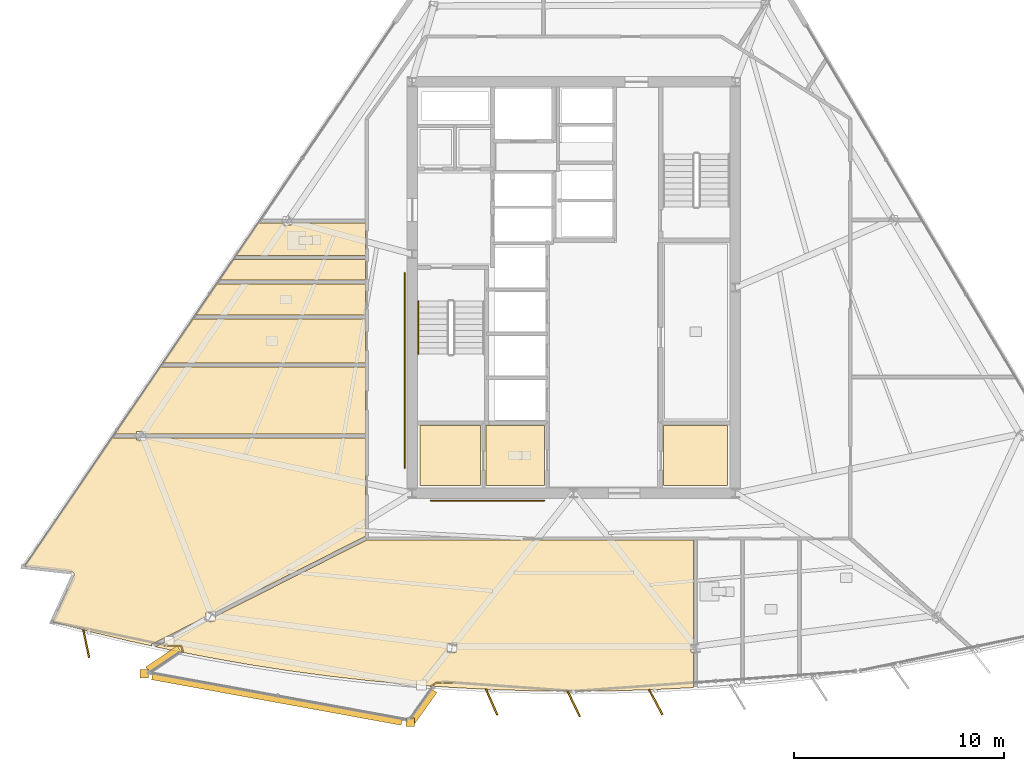
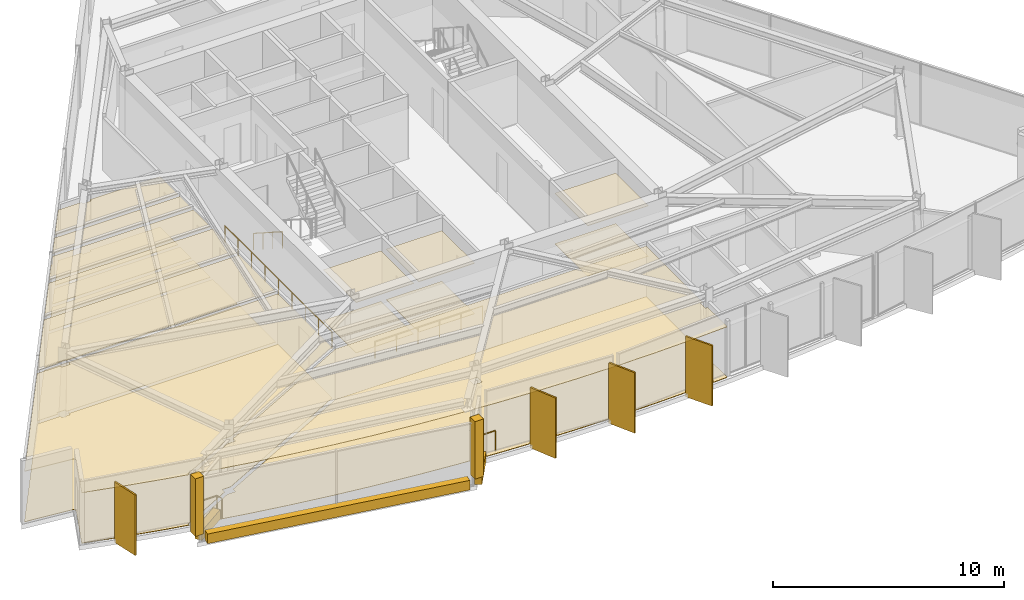
# One storey, part 11 of 14: 25 coverings, 5 railings, 4 shading devices.
"""IFC4 building model written with IfcOpenShell, lengths in metres."""

from ifc_helpers import new_model, si_unit, direction, frame, origin, origin_2d, place, context, subcontext, project, spatial, polyline, rectangle, circle, outline, extrude, material, layer, layer_set, type_object, element, save


model = new_model("IFC4")

# Units and contexts
model_context = context("Model", 3, precision=1e-05, world=origin(), true_north=direction((0.0, 1.0)))
body_context = subcontext(model_context, "Body", "Model", "MODEL_VIEW")
ifc_project = project(units=[si_unit("LENGTHUNIT", "METRE"), si_unit("AREAUNIT", "SQUARE_METRE"), si_unit("VOLUMEUNIT", "CUBIC_METRE"), si_unit("PLANEANGLEUNIT", "RADIAN"), si_unit("MASSUNIT", "GRAM", prefix="KILO")], contexts=[model_context])

# Site, building, storey
site_placement = place(None, origin())
site = spatial("IfcSite", under=ifc_project, at=site_placement, CompositionType="ELEMENT")
building_placement = place(site_placement, origin())
building = spatial("IfcBuilding", under=site, at=building_placement, Name="Savorim Split Tower", CompositionType="ELEMENT")
storey_placement = place(building_placement, frame((0.0, 0.0, 178.199951171875)))
storey = spatial("IfcBuildingStorey", under=building, at=storey_placement, Name="L47", CompositionType="ELEMENT", Elevation=178.199951171875)

# Coverings
ifc_material_1 = material(Name="Mineral Fibre Acoustic Ceiling")
ifc_layer_1 = layer(ifc_material_1, 0.02490234375)
ifc_layer_set_1 = layer_set([ifc_layer_1], Name="COV-CEIL-25")
covering_type_1 = type_object("IfcCoveringType", Name="COV-CEIL-25", PredefinedType="CEILING", material=ifc_layer_set_1)
covering_1_placement = place(storey_placement, frame((0.0, 0.0, 2.670166015625)))
element("IfcCovering", 1, at=covering_1_placement, inside=storey, type_object=covering_type_1, Name="L47 Housekeeping Store Acoustic Ceiling", PredefinedType="CEILING", context=body_context, shape_type="SweptSolid", body=[
    extrude(outline(polyline([(-7.320068359375, -6.179931640625), (-7.320068359375, -9.02001953125), (-4.429931640625, -9.02001953125), (-4.429931640625, -6.179931640625), (-7.320068359375, -6.179931640625)])), origin(), (0.0, 0.0, 1.0), 0.02490234375),
])
covering_2_placement = place(storey_placement, frame((0.0, 0.0, 2.670166015625)))
element("IfcCovering", 2, at=covering_2_placement, inside=storey, type_object=covering_type_1, Name="L47 Accessible WC Acoustic Ceiling", PredefinedType="CEILING", context=body_context, shape_type="SweptSolid", body=[
    extrude(outline(polyline([(-4.169921875, -6.179931640625), (-4.169921875, -9.02001953125), (-1.3798828125, -9.02001953125), (-1.3798828125, -6.179931640625), (-4.169921875, -6.179931640625)])), origin(), (0.0, 0.0, 1.0), 0.02490234375),
])
covering_3_placement = place(storey_placement, frame((0.0, 0.0, 2.670166015625)))
element("IfcCovering", 3, at=covering_3_placement, inside=storey, type_object=covering_type_1, Name="L47 Core IT Server Room Acoustic Ceiling", PredefinedType="CEILING", context=body_context, shape_type="SweptSolid", body=[
    extrude(outline(polyline([(4.280029296875, -6.179931640625), (4.280029296875, -9.02001953125), (7.320068359375, -9.02001953125), (7.320068359375, -6.179931640625), (4.280029296875, -6.179931640625)])), origin(), (0.0, 0.0, 1.0), 0.02490234375),
])
covering_4_placement = place(storey_placement, frame((0.0, 0.0, 2.670166015625)))
element("IfcCovering", 4, at=covering_4_placement, inside=storey, type_object=covering_type_1, Name="L47 Shared Kitchen Acoustic Ceiling", PredefinedType="CEILING", context=body_context, shape_type="SweptSolid", body=[
    extrude(outline(polyline([(-17.01025390625, 0.56884765625), (-18.012939453125, -0.905517578125), (-9.919921875, -0.905517578125), (-9.919921875, 0.56884765625), (-17.01025390625, 0.56884765625)])), origin(), (0.0, 0.0, 1.0), 0.02490234375),
])
covering_5_placement = place(storey_placement, frame((0.0, 0.0, 2.670166015625)))
element("IfcCovering", 5, at=covering_5_placement, inside=storey, type_object=covering_type_1, Name="L47 Community Laundry Room Acoustic Ceiling", PredefinedType="CEILING", context=body_context, shape_type="SweptSolid", body=[
    extrude(outline(polyline([(-18.142333984375, -1.095458984375), (-19.57080078125, -3.1953125), (-9.919921875, -3.1953125), (-9.919921875, -1.095458984375), (-18.142333984375, -1.095458984375)])), origin(), (0.0, 0.0, 1.0), 0.02490234375),
])
covering_6_placement = place(storey_placement, frame((0.0, 0.0, 2.670166015625)))
element("IfcCovering", 6, at=covering_6_placement, inside=storey, type_object=covering_type_1, Name="L47 Communal Lounge Acoustic Ceiling", PredefinedType="CEILING", context=body_context, shape_type="SweptSolid", body=[
    extrude(outline(polyline([(-20.40087890625, -6.452880859375), (-20.40087890625, -6.5673828125), (-9.919921875, -6.5673828125), (-9.919921875, -3.38525390625), (-19.699951171875, -3.38525390625), (-21.86474609375, -6.5673828125), (-20.822021484375, -6.5673828125), (-20.822021484375, -6.452880859375), (-20.40087890625, -6.452880859375)])), origin(), (0.0, 0.0, 1.0), 0.02490234375),
])
covering_7_placement = place(storey_placement, frame((0.0, 0.0, 2.670166015625)))
element("IfcCovering", 7, at=covering_7_placement, inside=storey, type_object=covering_type_1, Name="L47 Maker Workshop Acoustic Ceiling", PredefinedType="CEILING", context=body_context, shape_type="SweptSolid", body=[
    extrude(outline(polyline([(-23.795166015625, -13.255615234375), (-23.794921875, -13.267578125), (-23.7958984375, -13.279541015625), (-23.798095703125, -13.291259765625), (-23.801513671875, -13.302734375), (-23.805908203125, -13.313720703125), (-24.8232421875, -15.528076171875), (-23.080810546875, -15.98388671875), (-21.19140625, -16.436767578125), (-20.0927734375, -16.676513671875), (-20.129638671875, -16.603271484375), (-17.511962890625, -15.281494140625), (-17.511962890625, -15.072021484375), (-17.097412109375, -15.072021484375), (-9.946044921875, -11.461181640625), (-9.919921875, -11.447998046875), (-9.919921875, -6.757568359375), (-20.40087890625, -6.757568359375), (-20.40087890625, -6.8720703125), (-20.822021484375, -6.8720703125), (-20.822021484375, -6.757568359375), (-21.868896484375, -6.757568359375), (-21.964111328125, -6.757568359375), (-21.964111328125, -6.71337890625), (-26.1669921875, -12.891357421875), (-23.901611328125, -13.144287109375), (-23.889892578125, -13.146484375), (-23.87841796875, -13.1494140625), (-23.8671875, -13.153564453125), (-23.8564453125, -13.158935546875), (-23.84619140625, -13.165283203125), (-23.8369140625, -13.172607421875), (-23.828125, -13.180908203125), (-23.8203125, -13.189697265625), (-23.8134765625, -13.199462890625), (-23.8076171875, -13.2099609375), (-23.802734375, -13.220703125), (-23.799072265625, -13.232177734375), (-23.796630859375, -13.243896484375), (-23.795166015625, -13.255615234375)])), origin(), (0.0, 0.0, 1.0), 0.02490234375),
])
covering_8_placement = place(storey_placement, frame((0.0, 0.0, 2.670166015625)))
element("IfcCovering", 8, at=covering_8_placement, inside=storey, type_object=covering_type_1, Name="L47 Maker Workshop Acoustic Ceiling", PredefinedType="CEILING", context=body_context, shape_type="SweptSolid", body=[
    extrude(outline(polyline([(-1.942626953125, -18.81201171875), (0.0, -18.83203125), (1.942626953125, -18.81201171875), (3.884765625, -18.75244140625), (5.70361328125, -18.6591796875), (5.70361328125, -16.968017578125), (5.588134765625, -16.968017578125), (5.588134765625, -16.548828125), (5.70361328125, -16.548828125), (5.70361328125, -11.6201171875), (-9.780029296875, -11.6201171875), (-9.793701171875, -11.619384765625), (-9.807373046875, -11.6171875), (-9.820556640625, -11.614013671875), (-9.82470703125, -11.612548828125), (-17.0908203125, -15.281494140625), (-17.0908203125, -15.490966796875), (-17.505615234375, -15.490966796875), (-19.92578125, -16.712890625), (-19.29345703125, -16.85107421875), (-17.38720703125, -17.226318359375), (-15.4736328125, -17.5625), (-13.5537109375, -17.859619140625), (-11.6279296875, -18.1171875), (-9.697509765625, -18.33544921875), (-7.7626953125, -18.51416015625), (-5.824951171875, -18.653076171875), (-3.884765625, -18.75244140625), (-1.942626953125, -18.81201171875)]), holes=[polyline([(-6.009033203125, -16.968017578125), (-5.588134765625, -16.968017578125), (-5.588134765625, -16.548828125), (-6.009033203125, -16.548828125), (-6.009033203125, -16.968017578125)])]), origin(), (0.0, 0.0, 1.0), 0.02490234375),
])
covering_9_placement = place(storey_placement, frame((0.0, 0.0, 2.670166015625)))
element("IfcCovering", 9, at=covering_9_placement, inside=storey, type_object=covering_type_1, Name="L47 Shared Bathroom Acoustic Ceiling", PredefinedType="CEILING", context=body_context, shape_type="SweptSolid", body=[
    extrude(outline(polyline([(-13.8544921875, 3.484619140625), (-14.901611328125, 3.484619140625), (-14.99658203125, 3.484619140625), (-14.99658203125, 3.52880859375), (-16.087158203125, 1.92578125), (-9.919921875, 1.92578125), (-9.919921875, 3.484619140625), (-13.43359375, 3.484619140625), (-13.43359375, 3.3701171875), (-13.8544921875, 3.3701171875), (-13.8544921875, 3.484619140625)])), origin(), (0.0, 0.0, 1.0), 0.02490234375),
])
covering_10_placement = place(storey_placement, frame((0.0, 0.0, 2.670166015625)))
element("IfcCovering", 10, at=covering_10_placement, inside=storey, type_object=covering_type_1, Name="L47 Quiet Study Room Acoustic Ceiling", PredefinedType="CEILING", context=body_context, shape_type="SweptSolid", body=[
    extrude(outline(polyline([(-16.21630859375, 1.735595703125), (-16.880859375, 0.7587890625), (-9.919921875, 0.7587890625), (-9.919921875, 1.735595703125), (-16.21630859375, 1.735595703125)])), origin(), (0.0, 0.0, 1.0), 0.02490234375),
])
ifc_material_2 = material(Name="Porcelain Stoneware Flooring", Category="masonry")
ifc_layer_2 = layer(ifc_material_2, 0.02001953125)
ifc_layer_set_2 = layer_set([ifc_layer_2], Name="COV-FLOR-20")
covering_type_2 = type_object("IfcCoveringType", Name="COV-FLOR-20", PredefinedType="FLOORING", material=ifc_layer_set_2)
covering_11_placement = place(storey_placement, origin())
element("IfcCovering", 11, at=covering_11_placement, inside=storey, type_object=covering_type_2, Name="L47 Housekeeping Store Porcelain Flooring", PredefinedType="FLOORING", context=body_context, shape_type="SweptSolid", body=[
    extrude(outline(polyline([(-7.320068359375, -6.179931640625), (-7.320068359375, -9.02001953125), (-4.429931640625, -9.02001953125), (-4.429931640625, -6.179931640625), (-7.320068359375, -6.179931640625)])), origin(), (0.0, 0.0, 1.0), 0.02001953125),
])
covering_12_placement = place(storey_placement, origin())
element("IfcCovering", 12, at=covering_12_placement, inside=storey, type_object=covering_type_2, Name="L47 Accessible WC Porcelain Flooring", PredefinedType="FLOORING", context=body_context, shape_type="SweptSolid", body=[
    extrude(outline(polyline([(-4.169921875, -6.179931640625), (-4.169921875, -9.02001953125), (-1.3798828125, -9.02001953125), (-1.3798828125, -6.179931640625), (-4.169921875, -6.179931640625)])), origin(), (0.0, 0.0, 1.0), 0.02001953125),
])
covering_13_placement = place(storey_placement, origin())
element("IfcCovering", 13, at=covering_13_placement, inside=storey, type_object=covering_type_2, Name="L47 Core IT Server Room Porcelain Flooring", PredefinedType="FLOORING", context=body_context, shape_type="SweptSolid", body=[
    extrude(outline(polyline([(4.280029296875, -6.179931640625), (4.280029296875, -9.02001953125), (7.320068359375, -9.02001953125), (7.320068359375, -6.179931640625), (4.280029296875, -6.179931640625)])), origin(), (0.0, 0.0, 1.0), 0.02001953125),
])
covering_14_placement = place(storey_placement, origin())
element("IfcCovering", 14, at=covering_14_placement, inside=storey, type_object=covering_type_2, Name="L47 Shared Kitchen Porcelain Flooring", PredefinedType="FLOORING", context=body_context, shape_type="SweptSolid", body=[
    extrude(outline(polyline([(-17.01025390625, 0.56884765625), (-18.012939453125, -0.905517578125), (-9.919921875, -0.905517578125), (-9.919921875, 0.56884765625), (-17.01025390625, 0.56884765625)])), origin(), (0.0, 0.0, 1.0), 0.02001953125),
])
covering_15_placement = place(storey_placement, origin())
element("IfcCovering", 15, at=covering_15_placement, inside=storey, type_object=covering_type_2, Name="L47 Community Laundry Room Porcelain Flooring", PredefinedType="FLOORING", context=body_context, shape_type="SweptSolid", body=[
    extrude(outline(polyline([(-18.142333984375, -1.095458984375), (-19.57080078125, -3.1953125), (-9.919921875, -3.1953125), (-9.919921875, -1.095458984375), (-18.142333984375, -1.095458984375)])), origin(), (0.0, 0.0, 1.0), 0.02001953125),
])
covering_16_placement = place(storey_placement, origin())
element("IfcCovering", 16, at=covering_16_placement, inside=storey, type_object=covering_type_2, Name="L47 Communal Lounge Porcelain Flooring", PredefinedType="FLOORING", context=body_context, shape_type="SweptSolid", body=[
    extrude(outline(polyline([(-20.40087890625, -6.452880859375), (-20.40087890625, -6.5673828125), (-9.919921875, -6.5673828125), (-9.919921875, -3.38525390625), (-19.699951171875, -3.38525390625), (-21.86474609375, -6.5673828125), (-20.822021484375, -6.5673828125), (-20.822021484375, -6.452880859375), (-20.40087890625, -6.452880859375)])), origin(), (0.0, 0.0, 1.0), 0.02001953125),
])
covering_17_placement = place(storey_placement, origin())
element("IfcCovering", 17, at=covering_17_placement, inside=storey, type_object=covering_type_2, Name="L47 Maker Workshop Porcelain Flooring", PredefinedType="FLOORING", context=body_context, shape_type="SweptSolid", body=[
    extrude(outline(polyline([(-23.795166015625, -13.255615234375), (-23.794921875, -13.267578125), (-23.7958984375, -13.279541015625), (-23.798095703125, -13.291259765625), (-23.801513671875, -13.302734375), (-23.805908203125, -13.313720703125), (-24.8232421875, -15.528076171875), (-23.080810546875, -15.98388671875), (-21.19140625, -16.436767578125), (-20.0927734375, -16.676513671875), (-20.129638671875, -16.603271484375), (-17.511962890625, -15.281494140625), (-17.511962890625, -15.072021484375), (-17.097412109375, -15.072021484375), (-9.946044921875, -11.461181640625), (-9.919921875, -11.447998046875), (-9.919921875, -6.757568359375), (-20.40087890625, -6.757568359375), (-20.40087890625, -6.8720703125), (-20.822021484375, -6.8720703125), (-20.822021484375, -6.757568359375), (-21.868896484375, -6.757568359375), (-21.964111328125, -6.757568359375), (-21.964111328125, -6.71337890625), (-26.1669921875, -12.891357421875), (-23.901611328125, -13.144287109375), (-23.889892578125, -13.146484375), (-23.87841796875, -13.1494140625), (-23.8671875, -13.153564453125), (-23.8564453125, -13.158935546875), (-23.84619140625, -13.165283203125), (-23.8369140625, -13.172607421875), (-23.828125, -13.180908203125), (-23.8203125, -13.189697265625), (-23.8134765625, -13.199462890625), (-23.8076171875, -13.2099609375), (-23.802734375, -13.220703125), (-23.799072265625, -13.232177734375), (-23.796630859375, -13.243896484375), (-23.795166015625, -13.255615234375)])), origin(), (0.0, 0.0, 1.0), 0.02001953125),
])
covering_18_placement = place(storey_placement, origin())
element("IfcCovering", 18, at=covering_18_placement, inside=storey, type_object=covering_type_2, Name="L47 Maker Workshop Porcelain Flooring", PredefinedType="FLOORING", context=body_context, shape_type="SweptSolid", body=[
    extrude(outline(polyline([(-1.942626953125, -18.81201171875), (0.0, -18.83203125), (1.942626953125, -18.81201171875), (3.884765625, -18.75244140625), (5.70361328125, -18.6591796875), (5.70361328125, -16.968017578125), (5.588134765625, -16.968017578125), (5.588134765625, -16.548828125), (5.70361328125, -16.548828125), (5.70361328125, -11.6201171875), (-9.780029296875, -11.6201171875), (-9.793701171875, -11.619384765625), (-9.807373046875, -11.6171875), (-9.820556640625, -11.614013671875), (-9.82470703125, -11.612548828125), (-17.0908203125, -15.281494140625), (-17.0908203125, -15.490966796875), (-17.505615234375, -15.490966796875), (-19.92578125, -16.712890625), (-19.29345703125, -16.85107421875), (-17.38720703125, -17.226318359375), (-15.4736328125, -17.5625), (-13.5537109375, -17.859619140625), (-11.6279296875, -18.1171875), (-9.697509765625, -18.33544921875), (-7.7626953125, -18.51416015625), (-5.824951171875, -18.653076171875), (-3.884765625, -18.75244140625), (-1.942626953125, -18.81201171875)]), holes=[polyline([(-6.009033203125, -16.968017578125), (-5.588134765625, -16.968017578125), (-5.588134765625, -16.548828125), (-6.009033203125, -16.548828125), (-6.009033203125, -16.968017578125)])]), origin(), (0.0, 0.0, 1.0), 0.02001953125),
])
covering_19_placement = place(storey_placement, origin())
element("IfcCovering", 19, at=covering_19_placement, inside=storey, type_object=covering_type_2, Name="L47 Shared Bathroom Porcelain Flooring", PredefinedType="FLOORING", context=body_context, shape_type="SweptSolid", body=[
    extrude(outline(polyline([(-13.8544921875, 3.484619140625), (-14.901611328125, 3.484619140625), (-14.99658203125, 3.484619140625), (-14.99658203125, 3.52880859375), (-16.087158203125, 1.92578125), (-9.919921875, 1.92578125), (-9.919921875, 3.484619140625), (-13.43359375, 3.484619140625), (-13.43359375, 3.3701171875), (-13.8544921875, 3.3701171875), (-13.8544921875, 3.484619140625)])), origin(), (0.0, 0.0, 1.0), 0.02001953125),
])
covering_20_placement = place(storey_placement, origin())
element("IfcCovering", 20, at=covering_20_placement, inside=storey, type_object=covering_type_2, Name="L47 Quiet Study Room Porcelain Flooring", PredefinedType="FLOORING", context=body_context, shape_type="SweptSolid", body=[
    extrude(outline(polyline([(-16.21630859375, 1.735595703125), (-16.880859375, 0.7587890625), (-9.919921875, 0.7587890625), (-9.919921875, 1.735595703125), (-16.21630859375, 1.735595703125)])), origin(), (0.0, 0.0, 1.0), 0.02001953125),
])
ifc_material_3 = material(Name="White Porcelain Architectural Cladding")
ifc_layer_3 = layer(ifc_material_3, 0.139892578125)
ifc_layer_set_3 = layer_set([ifc_layer_3], Name="COV-FRM-WHITE")
covering_type_3 = type_object("IfcCoveringType", Name="COV-FRM-WHITE", PredefinedType="CLADDING", material=ifc_layer_set_3)
covering_21_placement = place(storey_placement, frame((0.0, 0.0, 0.010009765625)))
element("IfcCovering", 21, at=covering_21_placement, inside=storey, type_object=covering_type_3, Name="L47 Cantilevered Lounge White Lower Frame Band W", PredefinedType="CLADDING", context=body_context, shape_type="SweptSolid", body=[
    extrude(outline(polyline([(-18.8935546875, -16.673828125), (-20.386474609375, -17.67919921875), (-20.196533203125, -17.961181640625), (-18.70361328125, -16.955810546875), (-18.8935546875, -16.673828125)])), origin(), (0.0, 0.0, 1.0), 0.510009765625),
])
covering_22_placement = place(storey_placement, frame((0.0, 0.0, 0.010009765625)))
element("IfcCovering", 22, at=covering_22_placement, inside=storey, type_object=covering_type_3, Name="L47 Cantilevered Lounge White Lower Frame Band F", PredefinedType="CLADDING", context=body_context, shape_type="SweptSolid", body=[
    extrude(outline(polyline([(-20.108642578125, -18.2841796875), (-8.2216796875, -20.453369140625), (-8.16064453125, -20.118896484375), (-20.047607421875, -17.94970703125), (-20.108642578125, -18.2841796875)])), origin(), (0.0, 0.0, 1.0), 0.510009765625),
])
covering_23_placement = place(storey_placement, frame((0.0, 0.0, 0.010009765625)))
element("IfcCovering", 23, at=covering_23_placement, inside=storey, type_object=covering_type_3, Name="L47 Cantilevered Lounge White Lower Frame Band E", PredefinedType="CLADDING", context=body_context, shape_type="SweptSolid", body=[
    extrude(outline(polyline([(-7.56298828125, -20.371337890625), (-6.51708984375, -18.906494140625), (-6.7939453125, -18.708984375), (-7.83984375, -20.173828125), (-7.56298828125, -20.371337890625)])), origin(), (0.0, 0.0, 1.0), 0.510009765625),
])
covering_24_placement = place(storey_placement, frame((0.0, 0.0, 0.5400390625)))
element("IfcCovering", 24, at=covering_24_placement, inside=storey, type_object=covering_type_3, Name="L47 Cantilevered Lounge White Frame Corner Post 1", PredefinedType="CLADDING", context=body_context, shape_type="SweptSolid", body=[
    extrude(outline(polyline([(-20.672607421875, -18.205810546875), (-20.252685546875, -18.205810546875), (-20.252685546875, -17.785888671875), (-20.672607421875, -17.785888671875), (-20.672607421875, -18.205810546875)])), origin(), (0.0, 0.0, 1.0), 3.050048828125),
])
covering_25_placement = place(storey_placement, frame((0.0, 0.0, 0.5400390625)))
element("IfcCovering", 25, at=covering_25_placement, inside=storey, type_object=covering_type_3, Name="L47 Cantilevered Lounge White Frame Corner Post 2", PredefinedType="CLADDING", context=body_context, shape_type="SweptSolid", body=[
    extrude(outline(polyline([(-7.99853515625, -20.518798828125), (-7.57861328125, -20.518798828125), (-7.57861328125, -20.0986328125), (-7.99853515625, -20.0986328125), (-7.99853515625, -20.518798828125)])), origin(), (0.0, 0.0, 1.0), 3.050048828125),
])

# Railings
ifc_material_4 = material(Name="Galvanised Painted Steel Balustrade", Category="steel")
railing_type_1 = type_object("IfcRailingType", Name="RLG-BAL-1100", PredefinedType="BALUSTRADE", material=ifc_material_4)
railing_1_placement = place(storey_placement, frame((-19.484130859375, -16.66162109375, 0.0)))
element("IfcRailing", 26, at=railing_1_placement, inside=storey, type_object=railing_type_1, Name="L47 Cantilevered Lounge West Edge Closure Guard", PredefinedType="BALUSTRADE", context=body_context, shape_type="SweptSolid", body=[
    extrude(circle(Radius=0.02392578125, at=origin_2d()), frame((0.0, 0.0, 1.076171875), z_axis=(1.0, 0.0, 0.0), x_axis=(0.0, 1.0, 0.0)), (0.0, 0.0, 1.0), 0.780029296875),
    extrude(circle(Radius=0.02392578125, at=origin_2d()), frame((0.780029296875, 0.0, 1.076171875), z_axis=(0.306415654855, -0.951897813034, 0.0), x_axis=(0.951897813034, 0.306415654855, 0.0)), (0.0, 0.0, 1.0), 0.29150390625),
    extrude(circle(Radius=0.02099609375, at=origin_2d()), origin(), (0.0, 0.0, 1.0), 1.052001953125),
    extrude(circle(Radius=0.02099609375, at=origin_2d()), frame((0.780029296875, 0.0, 0.0)), (0.0, 0.0, 1.0), 1.052001953125),
    extrude(circle(Radius=0.02099609375, at=origin_2d()), frame((0.869384765625, -0.277587890625, 0.0)), (0.0, 0.0, 1.0), 1.052001953125),
])
railing_2_placement = place(storey_placement, frame((-6.78466796875, -18.59033203125, 0.0)))
element("IfcRailing", 27, at=railing_2_placement, inside=storey, type_object=railing_type_1, Name="L47 Cantilevered Lounge East Edge Closure Guard", PredefinedType="BALUSTRADE", context=body_context, shape_type="SweptSolid", body=[
    extrude(circle(Radius=0.02392578125, at=origin_2d()), frame((0.0, 0.0, 1.076171875), z_axis=(0.823681517704, 0.567052693665, 0.0), x_axis=(-0.567052693665, 0.823681517704, 0.0)), (0.0, 0.0, 1.0), 0.27685546875),
    extrude(circle(Radius=0.02392578125, at=origin_2d()), frame((0.22802734375, 0.156982421875, 1.076171875), z_axis=(1.0, 0.0, 0.0), x_axis=(0.0, 1.0, 0.0)), (0.0, 0.0, 1.0), 0.780029296875),
    extrude(circle(Radius=0.02099609375, at=origin_2d()), origin(), (0.0, 0.0, 1.0), 1.052001953125),
    extrude(circle(Radius=0.02099609375, at=origin_2d()), frame((0.22802734375, 0.156982421875, 0.0)), (0.0, 0.0, 1.0), 1.052001953125),
    extrude(circle(Radius=0.02099609375, at=origin_2d()), frame((1.008056640625, 0.156982421875, 0.0)), (0.0, 0.0, 1.0), 1.052001953125),
])
railing_type_2 = type_object("IfcRailingType", Name="RLG-HR-900", PredefinedType="HANDRAIL", material=ifc_material_4)
railing_3_placement = place(storey_placement, frame((-7.39990234375, -0.25, 0.179931640625)))
element("IfcRailing", 28, at=railing_3_placement, inside=storey, type_object=railing_type_2, Name="L47 ST-1 stair handrail 1", PredefinedType="HANDRAIL", context=body_context, shape_type="SweptSolid", body=[
    extrude(circle(Radius=0.02392578125, at=origin_2d()), frame((0.0, 0.0, 0.8759765625), z_axis=(0.0, -0.841162588446, 0.540782303519), x_axis=(1.0, 0.0, 0.0)), (0.0, 0.0, 1.0), 2.995849609375),
    extrude(circle(Radius=0.02099609375, at=origin_2d()), origin(), (0.0, 0.0, 1.0), 0.851806640625),
    extrude(circle(Radius=0.02099609375, at=origin_2d()), frame((0.0, -0.840087890625, 0.5400390625)), (0.0, 0.0, 1.0), 0.851806640625),
    extrude(circle(Radius=0.02099609375, at=origin_2d()), frame((0.0, -1.679931640625, 1.080078125)), (0.0, 0.0, 1.0), 0.851806640625),
    extrude(circle(Radius=0.02099609375, at=origin_2d()), frame((0.0, -2.52001953125, 1.6201171875)), (0.0, 0.0, 1.0), 0.851806640625),
])
railing_4_placement = place(storey_placement, frame((-6.800048828125, -9.75, 0.0)))
element("IfcRailing", 29, at=railing_4_placement, inside=storey, type_object=railing_type_2, Name="L47 Corridor South Accessible Handrail", PredefinedType="HANDRAIL", context=body_context, shape_type="SweptSolid", body=[
    extrude(circle(Radius=0.02392578125, at=origin_2d()), frame((0.0, 0.0, 0.8759765625), z_axis=(1.0, 0.0, 0.0), x_axis=(0.0, 1.0, 0.0)), (0.0, 0.0, 1.0), 5.400146484375),
    extrude(circle(Radius=0.02099609375, at=origin_2d()), origin(), (0.0, 0.0, 1.0), 0.851806640625),
    extrude(circle(Radius=0.02099609375, at=origin_2d()), frame((1.080078125, 0.0, 0.0)), (0.0, 0.0, 1.0), 0.851806640625),
    extrude(circle(Radius=0.02099609375, at=origin_2d()), frame((2.16015625, 0.0, 0.0)), (0.0, 0.0, 1.0), 0.851806640625),
    extrude(circle(Radius=0.02099609375, at=origin_2d()), frame((3.239990234375, 0.0, 0.0)), (0.0, 0.0, 1.0), 0.851806640625),
    extrude(circle(Radius=0.02099609375, at=origin_2d()), frame((4.320068359375, 0.0, 0.0)), (0.0, 0.0, 1.0), 0.851806640625),
    extrude(circle(Radius=0.02099609375, at=origin_2d()), frame((5.400146484375, 0.0, 0.0)), (0.0, 0.0, 1.0), 0.851806640625),
])
railing_5_placement = place(storey_placement, frame((-8.050048828125, -8.199951171875, 0.0)))
element("IfcRailing", 30, at=railing_5_placement, inside=storey, type_object=railing_type_2, Name="L47 Corridor West Accessible Handrail", PredefinedType="HANDRAIL", context=body_context, shape_type="SweptSolid", body=[
    extrude(circle(Radius=0.02392578125, at=origin_2d()), frame((0.0, 0.0, 0.8759765625), z_axis=(0.0, 1.0, 0.0), x_axis=(-1.0, 0.0, 0.0)), (0.0, 0.0, 1.0), 9.300048828125),
    extrude(circle(Radius=0.02099609375, at=origin_2d()), origin(), (0.0, 0.0, 1.0), 0.851806640625),
    extrude(circle(Radius=0.02099609375, at=origin_2d()), frame((0.0, 1.16259765625, 0.0)), (0.0, 0.0, 1.0), 0.851806640625),
    extrude(circle(Radius=0.02099609375, at=origin_2d()), frame((0.0, 2.324951171875, 0.0)), (0.0, 0.0, 1.0), 0.851806640625),
    extrude(circle(Radius=0.02099609375, at=origin_2d()), frame((0.0, 3.487548828125, 0.0)), (0.0, 0.0, 1.0), 0.851806640625),
    extrude(circle(Radius=0.02099609375, at=origin_2d()), frame((0.0, 4.64990234375, 0.0)), (0.0, 0.0, 1.0), 0.851806640625),
    extrude(circle(Radius=0.02099609375, at=origin_2d()), frame((0.0, 5.8125, 0.0)), (0.0, 0.0, 1.0), 0.851806640625),
    extrude(circle(Radius=0.02099609375, at=origin_2d()), frame((0.0, 6.97509765625, 0.0)), (0.0, 0.0, 1.0), 0.851806640625),
    extrude(circle(Radius=0.02099609375, at=origin_2d()), frame((0.0, 8.137451171875, 0.0)), (0.0, 0.0, 1.0), 0.851806640625),
    extrude(circle(Radius=0.02099609375, at=origin_2d()), frame((0.0, 9.300048828125, 0.0)), (0.0, 0.0, 1.0), 0.851806640625),
])

# Shading devices
ifc_material_5 = material(Name="Terracotta Ceramic-Coated Aluminium Fin", Category="masonry")
shading_device_type = type_object("IfcShadingDeviceType", Name="SHD-FIN-1360", PredefinedType="USERDEFINED", material=ifc_material_5)
for number, where, z_axis, x_axis, name in (
    (31, (-23.2255859375, -16.56201171875, -0.19970703125), (0.0, 0.0, 1.0), (0.206721626106, -0.978399800337, 0.0), "L47 Sawtooth Shading Fin 01"),
    (32, (-3.908935546875, -19.347900390625, -0.19970703125), (0.0, 0.0, 1.0), (0.401230091723, -0.915977299662, 0.0), "L47 Sawtooth Shading Fin 06"),
    (33, (0.0, -19.427978515625, -0.19970703125), (0.0, 0.0, 1.0), (0.438371146789, -0.898794046299, 0.0), "L47 Sawtooth Shading Fin 07"),
    (34, (3.908935546875, -19.347900390625, -0.19970703125), (0.0, 0.0, 1.0), (0.474778051978, -0.880105562623, 0.0), "L47 Sawtooth Shading Fin 08"),
):
    element("IfcShadingDevice", number, at=place(storey_placement, frame(where, z_axis=z_axis, x_axis=x_axis)), inside=storey, type_object=shading_device_type, Name=name, ObjectType="FIN", PredefinedType="USERDEFINED", context=body_context, shape_type="SweptSolid", body=[
        extrude(rectangle(XDim=1.360107421875, YDim=0.080078125, at=origin_2d()), origin(), (0.0, 0.0, 1.0), 3.199951171875),
    ])

save(model, "model.ifc")
